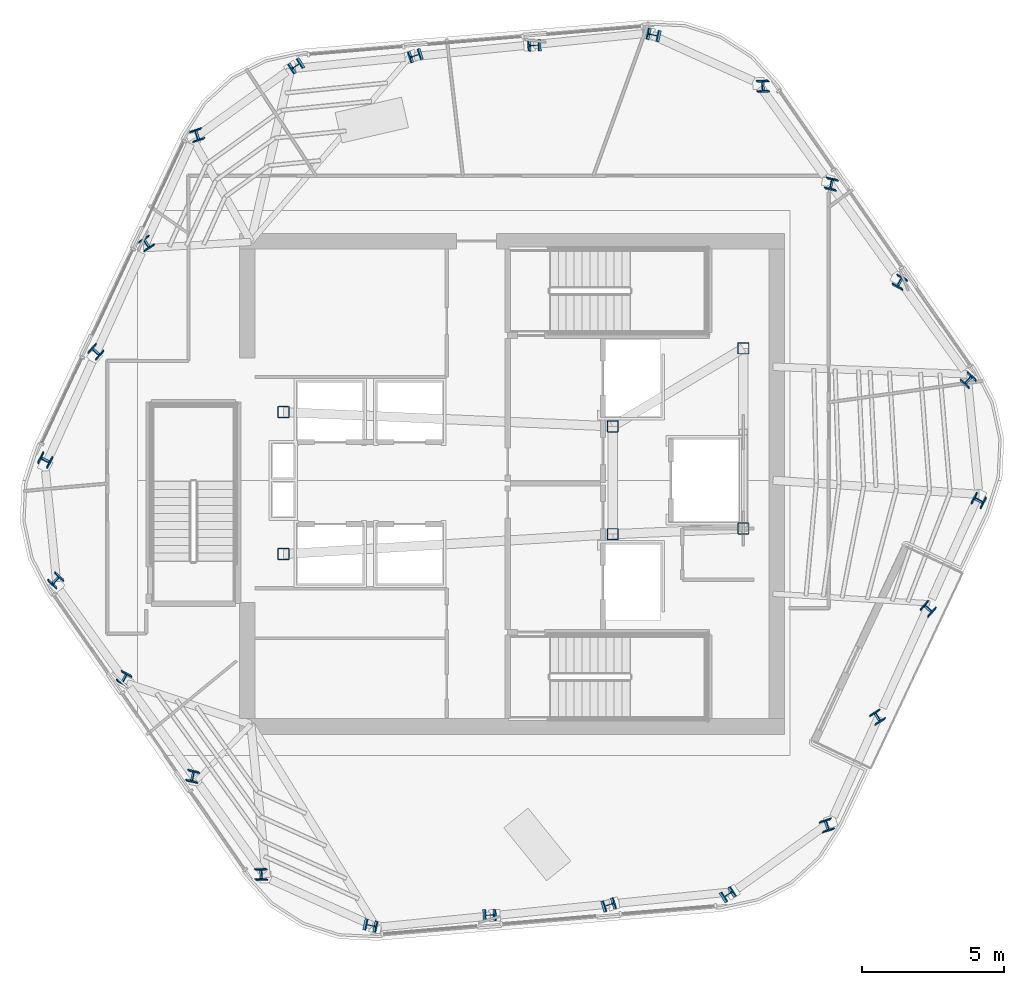
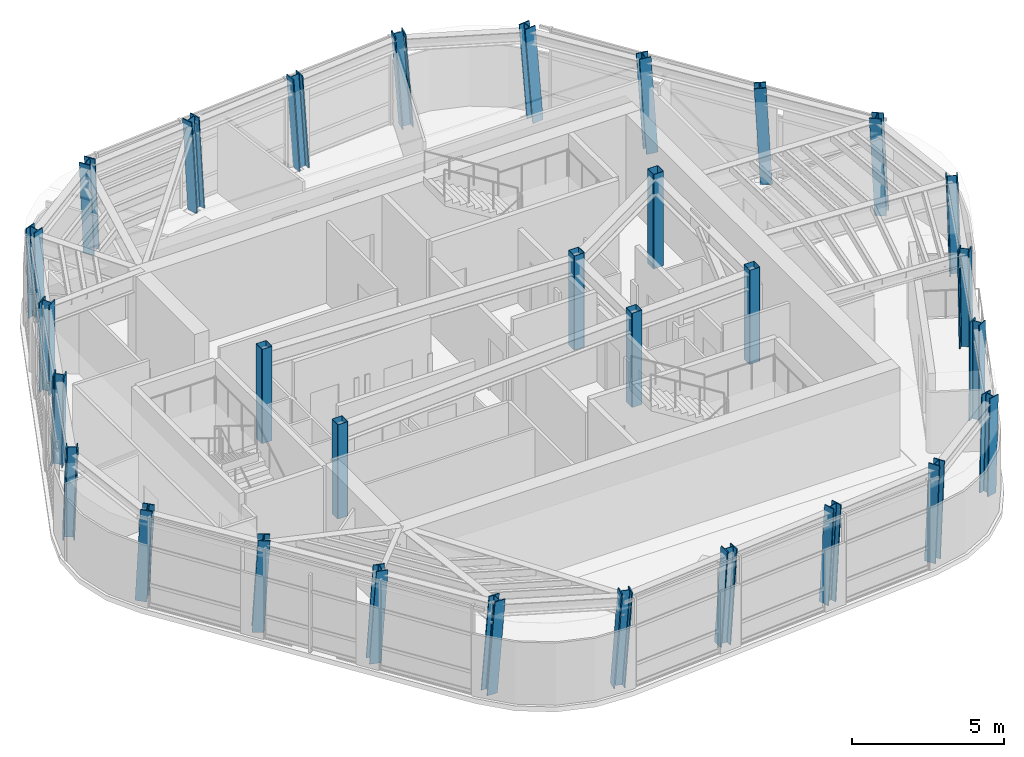
# One storey, part 1 of 14: 30 columns.
"""IFC4 building model written with IfcOpenShell, lengths in metres."""

from ifc_helpers import new_model, si_unit, direction, frame, origin, origin_2d, place, context, subcontext, project, spatial, hollow_rectangle, i_section, extrude, material, material_profile, profile_set, type_object, element, save


model = new_model("IFC4")

# Units and contexts
model_context = context("Model", 3, precision=1e-05, world=origin(), true_north=direction((0.0, 1.0)))
body_context = subcontext(model_context, "Body", "Model", "MODEL_VIEW")
ifc_project = project(units=[si_unit("LENGTHUNIT", "METRE"), si_unit("AREAUNIT", "SQUARE_METRE"), si_unit("VOLUMEUNIT", "CUBIC_METRE"), si_unit("PLANEANGLEUNIT", "RADIAN"), si_unit("MASSUNIT", "GRAM", prefix="KILO")], contexts=[model_context])

# Site, building, storey
site_placement = place(None, origin())
site = spatial("IfcSite", under=ifc_project, at=site_placement, CompositionType="ELEMENT")
building_placement = place(site_placement, origin())
building = spatial("IfcBuilding", under=site, at=building_placement, Name="Valkerne Bourse Tower", CompositionType="ELEMENT")
storey_placement = place(building_placement, frame((0.0, 0.0, 304.0)))
storey = spatial("IfcBuildingStorey", under=building, at=storey_placement, Name="L77", CompositionType="ELEMENT", Elevation=304.0)

# Columns
ifc_material_1 = material(Name="Steel ASTM A500 Grade C", Category="steel")
ifc_material_profile_1 = material_profile(ifc_material_1, hollow_rectangle(XDim=0.39990234375, YDim=0.39990234375, WallThickness=0.01611328125, OuterFilletRadius=0.031982421875, at=origin_2d()), Name="HSS400X400X16")
ifc_profile_set_1 = profile_set([ifc_material_profile_1], Name="Steel ASTM A500 Grade C")
column_type_1 = type_object("IfcColumnType", Name="COL-HSS400X400X16", PredefinedType="COLUMN", material=ifc_profile_set_1)
for number, where, z_axis, x_axis, name in (
    (1, (38.75, 24.39990234375, 0.0048828125), (0.0, 0.0, 1.0), (1.0, 0.0, 0.0), "L77 Core Frame Column CC-SW"),
    (2, (38.75, 29.39990234375, 0.0048828125), (0.0, 0.0, 1.0), (1.0, 0.0, 0.0), "L77 Core Frame Column CC-NW"),
    (3, (50.35009765625, 25.10009765625, 0.0048828125), (0.0, 0.0, 1.0), (1.0, 0.0, 0.0), "L77 Core Frame Column CC-CE1"),
    (4, (50.35009765625, 28.89990234375, 0.0048828125), (0.0, 0.0, 1.0), (1.0, 0.0, 0.0), "L77 Core Frame Column CC-CE2"),
    (5, (54.949951171875, 25.300048828125, 0.0048828125), (0.0, 0.0, 1.0), (1.0, 0.0, 0.0), "L77 Core Frame Column CC-SE"),
    (6, (54.949951171875, 31.64990234375, 0.0048828125), (0.0, 0.0, 1.0), (1.0, 0.0, 0.0), "L77 Core Frame Column CC-NE"),
):
    element("IfcColumn", number, at=place(storey_placement, frame(where, z_axis=z_axis, x_axis=x_axis)), inside=storey, type_object=column_type_1, Name=name, PredefinedType="COLUMN", context=body_context, shape_type="SweptSolid", body=[
        extrude(hollow_rectangle(XDim=0.39990234375, YDim=0.39990234375, WallThickness=0.01611328125, OuterFilletRadius=0.031982421875, at=origin_2d()), origin(), (0.0, 0.0, 1.0), 3.795166015625),
    ])
ifc_material_2 = material(Name="Steel ASTM A913 Grade 65", Category="steel")
ifc_material_profile_2 = material_profile(ifc_material_2, i_section(OverallWidth=0.4013671875, OverallDepth=0.398681640625, WebThickness=0.02490234375, FlangeThickness=0.03955078125, FilletRadius=0.025390625, at=origin_2d()), Name="W14X211")
ifc_profile_set_2 = profile_set([ifc_material_profile_2], Name="Steel ASTM A913 Grade 65")
column_type_2 = type_object("IfcColumnType", Name="COL-W14X211", PredefinedType="COLUMN", material=ifc_profile_set_2)
column_1_placement = place(storey_placement, frame((51.823974609375, 42.674072265625, 0.010009765625), z_axis=(-0.065128404091, 0.020356652515, 0.997669232601), x_axis=(0.217601199209, 0.97602106338, -0.005709811043)))
element("IfcColumn", 7, at=column_1_placement, inside=storey, type_object=column_type_2, Name="L77 Helical Perimeter Tube Column F1-C1", PredefinedType="COLUMN", context=body_context, shape_type="SweptSolid", body=[
    extrude(i_section(OverallWidth=0.4013671875, OverallDepth=0.398681640625, WebThickness=0.02490234375, FlangeThickness=0.03955078125, FilletRadius=0.025390625, at=origin_2d()), origin(), (0.0, 0.0, 1.0), 3.789794921875),
])
for number, where, z_axis, x_axis, name in (
    (8, (47.626708984375, 42.32177734375, 0.010009765625), (-0.063537392154, 0.002899779561, 0.997975245723), (-0.037989988887, 0.999263946546, -0.005322206149), "L77 Helical Perimeter Tube Column F1-C2"),
    (9, (43.4296875, 41.96923828125, 0.010009765625), (-0.061990605205, -0.014498842174, 0.997971416646), (-0.308256459295, 0.95128837684, -0.005327231165), "L77 Helical Perimeter Tube Column F1-C3"),
):
    element("IfcColumn", number, at=place(storey_placement, frame(where, z_axis=z_axis, x_axis=x_axis)), inside=storey, type_object=column_type_2, Name=name, PredefinedType="COLUMN", context=body_context, shape_type="SweptSolid", body=[
        extrude(i_section(OverallWidth=0.4013671875, OverallDepth=0.398681640625, WebThickness=0.02490234375, FlangeThickness=0.03955078125, FilletRadius=0.025390625, at=origin_2d()), origin(), (0.0, 0.0, 1.0), 3.78857421875),
    ])
for number, where, z_axis, x_axis, name in (
    (10, (39.232421875, 41.61669921875, 0.010009765625), (-0.060361336388, -0.031823372653, 0.997669174638), (-0.538581330939, 0.84255418058, -0.005709881958), "L77 Helical Perimeter Tube Column F1-C4"),
    (11, (35.73779296875, 39.18798828125, 0.010009765625), (-0.05011871542, -0.046253518858, 0.997671652578), (-0.952151576347, -0.299331458649, -0.061709428147), "L77 Helical Perimeter Tube Column F2-C1"),
):
    element("IfcColumn", number, at=place(storey_placement, frame(where, z_axis=z_axis, x_axis=x_axis)), inside=storey, type_object=column_type_2, Name=name, PredefinedType="COLUMN", context=body_context, shape_type="SweptSolid", body=[
        extrude(i_section(OverallWidth=0.4013671875, OverallDepth=0.398681640625, WebThickness=0.02490234375, FlangeThickness=0.03955078125, FilletRadius=0.025390625, at=origin_2d()), origin(), (0.0, 0.0, 1.0), 3.789794921875),
    ])
for number, where, z_axis, x_axis, name in (
    (12, (33.944580078125, 35.376953125, 0.010009765625), (-0.034346128728, -0.053613469233, 0.997970911078), (-0.845617708173, -0.53067088063, -0.057611700855), "L77 Helical Perimeter Tube Column F2-C2"),
    (13, (32.151123046875, 31.565673828125, 0.010009765625), (-0.01842975942, -0.06083109403, 0.997977916573), (-0.669313544644, -0.740750780364, -0.057512262571), "L77 Helical Perimeter Tube Column F2-C3"),
):
    element("IfcColumn", number, at=place(storey_placement, frame(where, z_axis=z_axis, x_axis=x_axis)), inside=storey, type_object=column_type_2, Name=name, PredefinedType="COLUMN", context=body_context, shape_type="SweptSolid", body=[
        extrude(i_section(OverallWidth=0.4013671875, OverallDepth=0.398681640625, WebThickness=0.02490234375, FlangeThickness=0.03955078125, FilletRadius=0.025390625, at=origin_2d()), origin(), (0.0, 0.0, 1.0), 3.78857421875),
    ])
for number, where, z_axis, x_axis, name in (
    (14, (30.357666015625, 27.754638671875, 0.010009765625), (-0.002576796874, -0.068156277314, 0.997671329637), (-0.459580251618, -0.885989509668, -0.061713702544), "L77 Helical Perimeter Tube Column F2-C4"),
    (15, (30.7138671875, 23.513916015625, 0.010009765625), (0.01494542345, -0.06654578631, 0.997671435214), (0.736362252838, -0.674265564401, -0.056005189558), "L77 Helical Perimeter Tube Column F3-C1"),
):
    element("IfcColumn", number, at=place(storey_placement, frame(where, z_axis=z_axis, x_axis=x_axis)), inside=storey, type_object=column_type_2, Name=name, PredefinedType="COLUMN", context=body_context, shape_type="SweptSolid", body=[
        extrude(i_section(OverallWidth=0.4013671875, OverallDepth=0.398681640625, WebThickness=0.02490234375, FlangeThickness=0.03955078125, FilletRadius=0.025390625, at=origin_2d()), origin(), (0.0, 0.0, 1.0), 3.789794921875),
    ])
for number, where, z_axis, x_axis, name in (
    (16, (33.11767578125, 20.05517578125, 0.010009765625), (0.029255598071, -0.056449127556, 0.997976756232), (0.883784915533, -0.464971497283, -0.052208522197), "L77 Helical Perimeter Tube Column F3-C2"),
    (17, (35.521484375, 16.596435546875, 0.010009765625), (0.043496711112, -0.046396491853, 0.99797565184), (0.976837587816, -0.207511712685, -0.052222754885), "L77 Helical Perimeter Tube Column F3-C3"),
):
    element("IfcColumn", number, at=place(storey_placement, frame(where, z_axis=z_axis, x_axis=x_axis)), inside=storey, type_object=column_type_2, Name=name, PredefinedType="COLUMN", context=body_context, shape_type="SweptSolid", body=[
        extrude(i_section(OverallWidth=0.4013671875, OverallDepth=0.398681640625, WebThickness=0.02490234375, FlangeThickness=0.03955078125, FilletRadius=0.025390625, at=origin_2d()), origin(), (0.0, 0.0, 1.0), 3.78857421875),
    ])
for number, where, z_axis, x_axis, name in (
    (18, (37.92529296875, 13.1376953125, 0.010009765625), (0.057784596277, -0.036268369793, 0.997670058579), (0.997281151908, 0.047873485601, -0.056021722791), "L77 Helical Perimeter Tube Column F3-C4"),
    (19, (41.77587890625, 11.325927734375, 0.010009765625), (0.065128404091, -0.020356652515, 0.997669232601), (0.217601199209, 0.97602106338, 0.005709811043), "L77 Helical Perimeter Tube Column F4-C1"),
):
    element("IfcColumn", number, at=place(storey_placement, frame(where, z_axis=z_axis, x_axis=x_axis)), inside=storey, type_object=column_type_2, Name=name, PredefinedType="COLUMN", context=body_context, shape_type="SweptSolid", body=[
        extrude(i_section(OverallWidth=0.4013671875, OverallDepth=0.398681640625, WebThickness=0.02490234375, FlangeThickness=0.03955078125, FilletRadius=0.025390625, at=origin_2d()), origin(), (0.0, 0.0, 1.0), 3.789794921875),
    ])
for number, where, z_axis, x_axis, name in (
    (20, (45.97314453125, 11.67822265625, 0.010009765625), (0.063537392154, -0.002899779561, 0.997975245723), (-0.037989988887, 0.999263946546, 0.005322206149), "L77 Helical Perimeter Tube Column F4-C2"),
    (21, (50.17041015625, 12.03076171875, 0.010009765625), (0.061926413152, 0.014498900062, 0.997975401125), (-0.308476279714, 0.951217147211, 0.00532200211), "L77 Helical Perimeter Tube Column F4-C3"),
):
    element("IfcColumn", number, at=place(storey_placement, frame(where, z_axis=z_axis, x_axis=x_axis)), inside=storey, type_object=column_type_2, Name=name, PredefinedType="COLUMN", context=body_context, shape_type="SweptSolid", body=[
        extrude(i_section(OverallWidth=0.4013671875, OverallDepth=0.398681640625, WebThickness=0.02490234375, FlangeThickness=0.03955078125, FilletRadius=0.025390625, at=origin_2d()), origin(), (0.0, 0.0, 1.0), 3.78857421875),
    ])
for number, where, z_axis, x_axis, name in (
    (22, (54.36767578125, 12.38330078125, 0.010009765625), (0.060297150944, 0.031823496331, 0.997673051991), (-0.538952838092, 0.842316620833, 0.005705136293), "L77 Helical Perimeter Tube Column F4-C4"),
    (23, (57.8623046875, 14.81201171875, 0.010009765625), (0.05011871542, 0.046253518858, 0.997671652578), (-0.952151576347, -0.299331458649, 0.061709428147), "L77 Helical Perimeter Tube Column F5-C1"),
):
    element("IfcColumn", number, at=place(storey_placement, frame(where, z_axis=z_axis, x_axis=x_axis)), inside=storey, type_object=column_type_2, Name=name, PredefinedType="COLUMN", context=body_context, shape_type="SweptSolid", body=[
        extrude(i_section(OverallWidth=0.4013671875, OverallDepth=0.398681640625, WebThickness=0.02490234375, FlangeThickness=0.03955078125, FilletRadius=0.025390625, at=origin_2d()), origin(), (0.0, 0.0, 1.0), 3.789794921875),
    ])
for number, where, z_axis, x_axis, name in (
    (24, (59.655517578125, 18.623046875, 0.010009765625), (0.034281765264, 0.053613587782, 0.997973117762), (-0.845165999402, -0.531393386605, 0.057580397064), "L77 Helical Perimeter Tube Column F5-C2"),
    (25, (61.448974609375, 22.434326171875, 0.010009765625), (0.01842975942, 0.06083109403, 0.997977916573), (-0.669313544644, -0.740750780364, 0.057512262571), "L77 Helical Perimeter Tube Column F5-C3"),
):
    element("IfcColumn", number, at=place(storey_placement, frame(where, z_axis=z_axis, x_axis=x_axis)), inside=storey, type_object=column_type_2, Name=name, PredefinedType="COLUMN", context=body_context, shape_type="SweptSolid", body=[
        extrude(i_section(OverallWidth=0.4013671875, OverallDepth=0.398681640625, WebThickness=0.02490234375, FlangeThickness=0.03955078125, FilletRadius=0.025390625, at=origin_2d()), origin(), (0.0, 0.0, 1.0), 3.78857421875),
    ])
for number, where, z_axis, x_axis, name in (
    (26, (63.2421875, 26.245361328125, 0.010009765625), (0.002641216352, 0.068156265858, 0.997671161957), (-0.460416234758, -0.885555213278, 0.061715921823), "L77 Helical Perimeter Tube Column F5-C4"),
    (27, (62.88623046875, 30.486083984375, 0.010009765625), (-0.01494542345, 0.06654578631, 0.997671435214), (0.736362252838, -0.674265564401, 0.056005189558), "L77 Helical Perimeter Tube Column F6-C1"),
):
    element("IfcColumn", number, at=place(storey_placement, frame(where, z_axis=z_axis, x_axis=x_axis)), inside=storey, type_object=column_type_2, Name=name, PredefinedType="COLUMN", context=body_context, shape_type="SweptSolid", body=[
        extrude(i_section(OverallWidth=0.4013671875, OverallDepth=0.398681640625, WebThickness=0.02490234375, FlangeThickness=0.03955078125, FilletRadius=0.025390625, at=origin_2d()), origin(), (0.0, 0.0, 1.0), 3.789794921875),
    ])
for number, where, z_axis, x_axis, name in (
    (28, (60.482421875, 33.94482421875, 0.010009765625), (-0.029255598071, 0.056449127556, 0.997976756232), (0.883784915533, -0.464971497283, 0.052208522197), "L77 Helical Perimeter Tube Column F6-C2"),
    (29, (58.07861328125, 37.403564453125, 0.010009765625), (-0.043496711112, 0.046396491853, 0.99797565184), (0.976837587816, -0.207511712685, 0.052222754885), "L77 Helical Perimeter Tube Column F6-C3"),
):
    element("IfcColumn", number, at=place(storey_placement, frame(where, z_axis=z_axis, x_axis=x_axis)), inside=storey, type_object=column_type_2, Name=name, PredefinedType="COLUMN", context=body_context, shape_type="SweptSolid", body=[
        extrude(i_section(OverallWidth=0.4013671875, OverallDepth=0.398681640625, WebThickness=0.02490234375, FlangeThickness=0.03955078125, FilletRadius=0.025390625, at=origin_2d()), origin(), (0.0, 0.0, 1.0), 3.78857421875),
    ])
column_2_placement = place(storey_placement, frame((55.6748046875, 40.8623046875, 0.010009765625), z_axis=(-0.057784596277, 0.036268369793, 0.997670058579), x_axis=(0.997281151908, 0.047873485601, 0.056021722791)))
element("IfcColumn", 30, at=column_2_placement, inside=storey, type_object=column_type_2, Name="L77 Helical Perimeter Tube Column F6-C4", PredefinedType="COLUMN", context=body_context, shape_type="SweptSolid", body=[
    extrude(i_section(OverallWidth=0.4013671875, OverallDepth=0.398681640625, WebThickness=0.02490234375, FlangeThickness=0.03955078125, FilletRadius=0.025390625, at=origin_2d()), origin(), (0.0, 0.0, 1.0), 3.789794921875),
])

save(model, "model.ifc")
